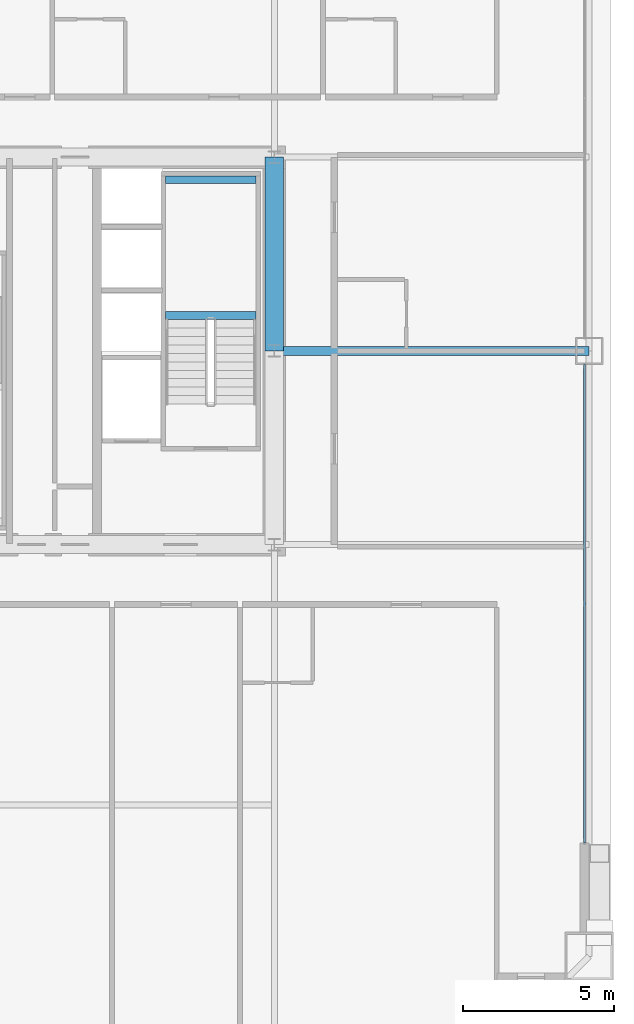
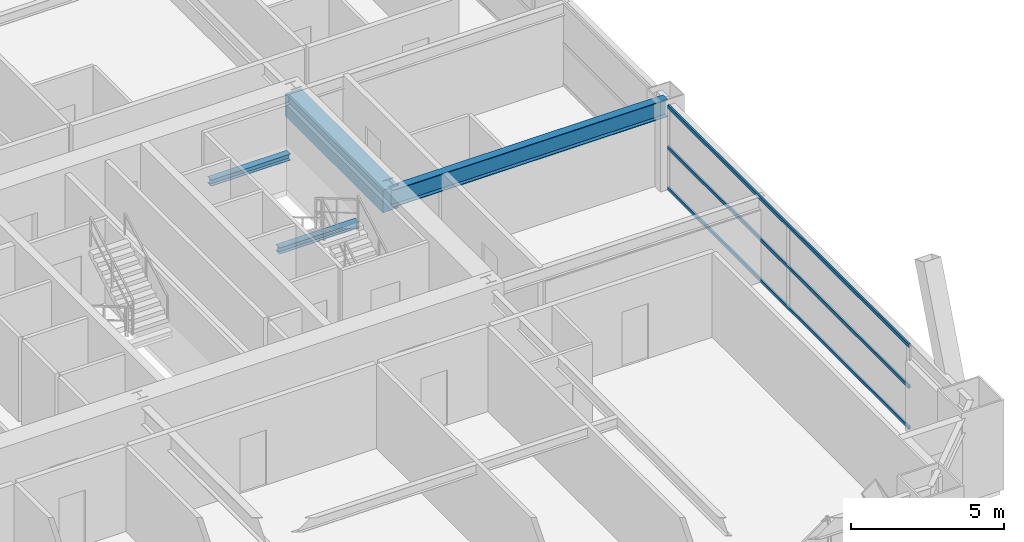
# One storey, part 20 of 41: 4 beams, 3 members, 1 element without a shape of its own.
"""IFC4 building model written with IfcOpenShell, lengths in metres."""

from ifc_helpers import new_model, si_unit, direction, frame, origin, origin_2d, place, context, subcontext, project, spatial, rectangle, hollow_rectangle, i_section, extrude, source, transform, mapped, material, layer, layer_set, material_profile, profile_set, type_object, element, aggregate, save


model = new_model("IFC4")

# Units and contexts
model_context = context("Model", 3, precision=1e-05, world=origin(), true_north=direction((0.0, 1.0)))
body_context = subcontext(model_context, "Body", "Model", "MODEL_VIEW")
ifc_project = project(units=[si_unit("LENGTHUNIT", "METRE"), si_unit("AREAUNIT", "SQUARE_METRE"), si_unit("VOLUMEUNIT", "CUBIC_METRE"), si_unit("PLANEANGLEUNIT", "RADIAN"), si_unit("MASSUNIT", "GRAM", prefix="KILO"), si_unit("THERMODYNAMICTEMPERATUREUNIT", "KELVIN"), si_unit("POWERUNIT", "WATT")], contexts=[model_context])

# Site, building, storey
site_placement = place(None, origin())
site = spatial("IfcSite", under=ifc_project, at=site_placement, CompositionType="ELEMENT")
building_placement = place(site_placement, origin())
building = spatial("IfcBuilding", under=site, at=building_placement, Name="Yuzanri Waterfront Tower", CompositionType="ELEMENT")
storey_placement = place(building_placement, frame((0.0, 0.0, 152.39990234375)))
storey = spatial("IfcBuildingStorey", under=building, at=storey_placement, Name="L40", CompositionType="ELEMENT", Elevation=152.39990234375)

# Beams
ifc_material_1 = material(Name="Concrete C60", Category="concrete")
ifc_material_profile_1 = material_profile(ifc_material_1, rectangle(XDim=0.60009765625, YDim=0.89990234375, at=origin_2d()), Name="RC 600x900")
ifc_profile_set_1 = profile_set([ifc_material_profile_1], Name="Concrete C60")
beam_type_1 = type_object("IfcBeamType", Name="Core Coupling Lintel Concrete C60 600x900", PredefinedType="LINTEL", material=ifc_profile_set_1)
shared_shape_1 = source(origin(), body_context, "Body", "SweptSolid", [
    extrude(rectangle(XDim=0.60009765625, YDim=0.89990234375, at=origin_2d()), origin(), (0.0, 0.0, 1.0), 6.39990234375),
])
beam_1_placement = place(storey_placement, frame((50.199951171875, 25.800048828125, 2.93017578125), z_axis=(0.0, 1.0, 0.0), x_axis=(-1.0, 0.0, 0.0)))
element("IfcBeam", 1, at=beam_1_placement, inside=storey, type_object=beam_type_1, Name="L40 Core Tie Beam CE2", PredefinedType="LINTEL", context=body_context, shape_type="MappedRepresentation", body=[
    mapped(shared_shape_1, transform((0.0, 0.0, 0.0), scale=1.0)),
])
ifc_material_2 = material(Name="Steel Q355B", Category="steel")
ifc_material_profile_2 = material_profile(ifc_material_2, i_section(OverallWidth=0.300048828125, OverallDepth=0.699951171875, WebThickness=0.012939453125, FlangeThickness=0.02392578125, at=origin_2d()), Name="HN 700x300x13x24")
ifc_profile_set_2 = profile_set([ifc_material_profile_2], Name="Steel Q355B")
beam_type_2 = type_object("IfcBeamType", Name="Primary Floor Girder Q355B HN 700x300", PredefinedType="BEAM", material=ifc_profile_set_2)
shared_shape_2 = source(origin(), body_context, "Body", "SweptSolid", [
    extrude(i_section(OverallWidth=0.300048828125, OverallDepth=0.699951171875, WebThickness=0.012939453125, FlangeThickness=0.02392578125, at=origin_2d()), origin(), (0.0, 0.0, 1.0), 10.400146484375),
])
beam_2_placement = place(storey_placement, frame((50.199951171875, 25.800048828125, 3.030029296875), z_axis=(1.0, 0.0, 0.0), x_axis=(0.0, 1.0, 0.0)))
element("IfcBeam", 2, at=beam_2_placement, inside=storey, type_object=beam_type_2, Name="L40 East Grid Girder", PredefinedType="BEAM", context=body_context, shape_type="MappedRepresentation", body=[
    mapped(shared_shape_2, transform((0.0, 0.0, 0.0), scale=1.0)),
])

# Curtain wall, members
ifc_material_3 = material(Name="Anodized Architectural Bronze", Category="metal")
ifc_layer = layer(ifc_material_3, 0.159912109375)
ifc_layer_set = layer_set([ifc_layer], Name="Anodized Architectural Bronze")
curtain_wall_type = type_object("IfcCurtainWallType", Name="Anodized Bronze Hotel Upper-Tier Solar-Control Unitized Curtain Wall 7800", PredefinedType="NOTDEFINED", material=ifc_layer_set)
curtain_wall_placement = place(storey_placement, origin())
curtain_wall = element("IfcCurtainWall", 3, at=curtain_wall_placement, inside=storey, type_object=curtain_wall_type, Name="L40 Curtain Wall CW-L40-EL", PredefinedType="NOTDEFINED")
ifc_material_4 = material(Name="Anodized Architectural Bronze", Category="metal")
ifc_material_profile_3 = material_profile(ifc_material_4, hollow_rectangle(XDim=0.070068359375, YDim=0.135009765625, WallThickness=0.00341796875, at=origin_2d()), Name="CWT 70x135")
ifc_profile_set_3 = profile_set([ifc_material_profile_3], Name="Anodized Architectural Bronze")
member_type = type_object("IfcMemberType", Name="Anodized Bronze Standard Curtain-Wall Transom 70x135", PredefinedType="USERDEFINED", material=ifc_profile_set_3)
shared_shape_3 = source(origin(), body_context, "Body", "SweptSolid", [
    extrude(hollow_rectangle(XDim=0.070068359375, YDim=0.135009765625, WallThickness=0.00341796875, at=origin_2d()), origin(), (0.0, 0.0, 1.0), 15.800048828125),
])
member_1_placement = place(storey_placement, frame((60.449951171875, 9.550048828125, 0.050048828125), z_axis=(0.0, 1.0, 0.0), x_axis=(-1.0, 0.0, 0.0)))
member_1 = element("IfcMember", 4, at=member_1_placement, type_object=member_type, Name="CW-L40-EL Transom 1", ObjectType="TRANSOM", PredefinedType="USERDEFINED", context=body_context, shape_type="MappedRepresentation", body=[
    mapped(shared_shape_3, transform((0.0, 0.0, 0.0), scale=1.0)),
])
member_2_placement = place(storey_placement, frame((60.449951171875, 9.550048828125, 1.690185546875), z_axis=(0.0, 1.0, 0.0), x_axis=(-1.0, 0.0, 0.0)))
member_2 = element("IfcMember", 5, at=member_2_placement, type_object=member_type, Name="CW-L40-EL Transom 2", ObjectType="TRANSOM", PredefinedType="USERDEFINED", context=body_context, shape_type="MappedRepresentation", body=[
    mapped(shared_shape_3, transform((0.0, 0.0, 0.0), scale=1.0)),
])
member_3_placement = place(storey_placement, frame((60.449951171875, 9.550048828125, 3.330078125), z_axis=(0.0, 1.0, 0.0), x_axis=(-1.0, 0.0, 0.0)))
member_3 = element("IfcMember", 6, at=member_3_placement, type_object=member_type, Name="CW-L40-EL Transom 3", ObjectType="TRANSOM", PredefinedType="USERDEFINED", context=body_context, shape_type="MappedRepresentation", body=[
    mapped(shared_shape_3, transform((0.0, 0.0, 0.0), scale=1.0)),
])
aggregate(curtain_wall, [member_1, member_2, member_3])

# Beams
ifc_material_5 = material(Name="Steel Q355B", Category="steel")
ifc_material_profile_4 = material_profile(ifc_material_5, i_section(OverallWidth=0.25, OverallDepth=0.25, WebThickness=0.009033203125, FlangeThickness=0.013916015625, at=origin_2d()), Name="HW 250x250x9x14")
ifc_profile_set_4 = profile_set([ifc_material_profile_4], Name="Steel Q355B")
beam_type_3 = type_object("IfcBeamType", Name="Stair Landing Support Beam Q355B HW 250x250", PredefinedType="BEAM", material=ifc_profile_set_4)
shared_shape_4 = source(origin(), body_context, "Body", "SweptSolid", [
    extrude(i_section(OverallWidth=0.25, OverallDepth=0.25, WebThickness=0.009033203125, FlangeThickness=0.013916015625, at=origin_2d()), origin(), (0.0, 0.0, 1.0), 3.0),
])
for number, where, z_axis, x_axis, name in (
    (7, (46.60009765625, 26.969970703125, 1.47509765625), (1.0, 0.0, 0.0), (0.0, 1.0, 0.0), "L40 Stair Landing Support Beam ST-02-L40-L1-1"),
    (8, (46.60009765625, 31.449951171875, 1.47509765625), (1.0, 0.0, 0.0), (0.0, 1.0, 0.0), "L40 Stair Landing Support Beam ST-02-L40-L1-2"),
):
    element("IfcBeam", number, at=place(storey_placement, frame(where, z_axis=z_axis, x_axis=x_axis)), inside=storey, type_object=beam_type_3, Name=name, PredefinedType="BEAM", context=body_context, shape_type="MappedRepresentation", body=[
        mapped(shared_shape_4, transform((0.0, 0.0, 0.0), scale=1.0)),
    ])

save(model, "model.ifc")
